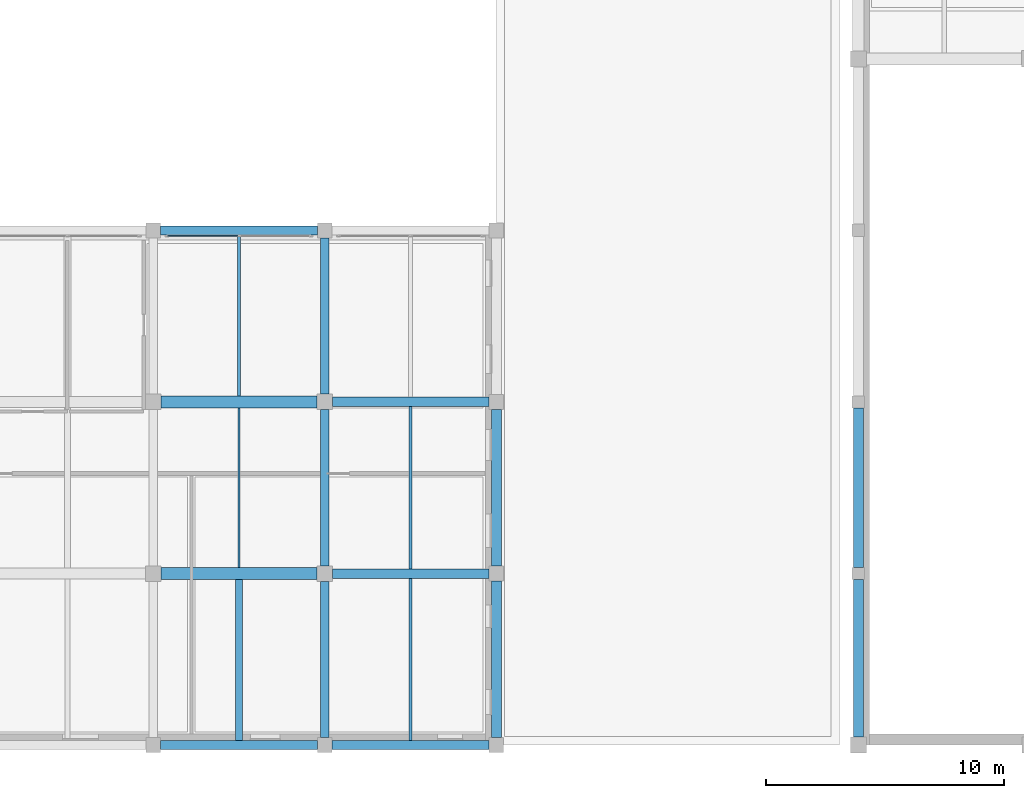
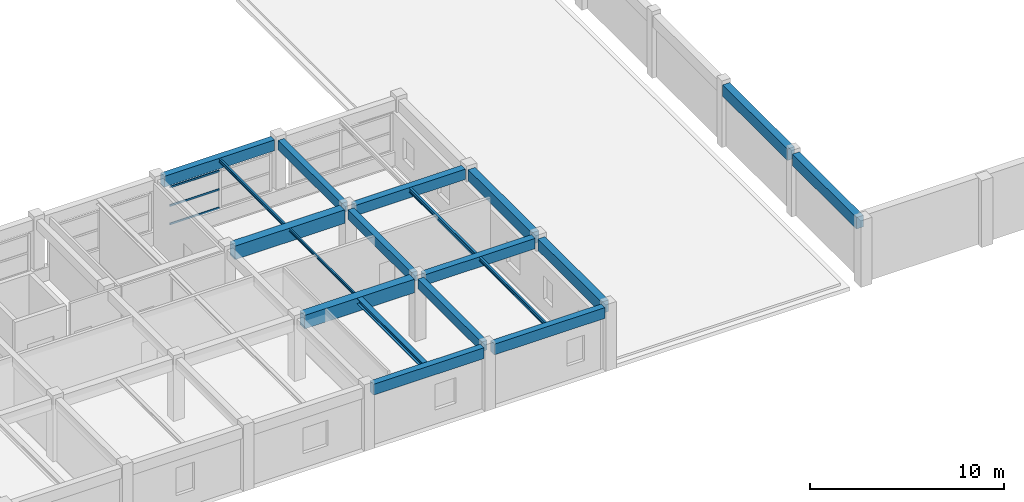
# One storey, part 16 of 67: 19 beams, 3 members, 1 element without a shape of its own.
"""IFC4 building model written with IfcOpenShell, lengths in metres."""

from ifc_helpers import new_model, si_unit, direction, frame, origin, origin_2d, place, context, subcontext, project, spatial, rectangle, hollow_rectangle, i_section, extrude, material, material_profile, profile_set, type_object, element, aggregate, save


model = new_model("IFC4")

# Units and contexts
model_context = context("Model", 3, precision=1e-05, world=origin(), true_north=direction((0.0, 1.0)))
body_context = subcontext(model_context, "Body", "Model", "MODEL_VIEW")
ifc_project = project(units=[si_unit("LENGTHUNIT", "METRE"), si_unit("AREAUNIT", "SQUARE_METRE"), si_unit("VOLUMEUNIT", "CUBIC_METRE"), si_unit("PLANEANGLEUNIT", "RADIAN"), si_unit("MASSUNIT", "GRAM", prefix="KILO")], contexts=[model_context])

# Site, building, storey
site_placement = place(None, origin())
site = spatial("IfcSite", under=ifc_project, at=site_placement, CompositionType="ELEMENT")
building_placement = place(site_placement, origin())
building = spatial("IfcBuilding", under=site, at=building_placement, Name="Bramveld Media Centre", CompositionType="ELEMENT")
storey_placement = place(building_placement, frame((0.0, 0.0, 5.39990234375)))
storey = spatial("IfcBuildingStorey", under=building, at=storey_placement, Name="L01", CompositionType="ELEMENT", Elevation=5.39990234375)

# Beams
ifc_material_1 = material(Name="Concrete C40/50", Category="concrete")
ifc_material_profile_1 = material_profile(ifc_material_1, rectangle(XDim=0.35009765625, YDim=0.60009765625, at=origin_2d()), Name="RC 350x600")
ifc_profile_set_1 = profile_set([ifc_material_profile_1], Name="Concrete C40/50")
beam_type_1 = type_object("IfcBeamType", Name="BM-INT-RC-350x600", PredefinedType="BEAM", material=ifc_profile_set_1)
beam_1_placement = place(storey_placement, frame((101.60009765625, 0.31005859375, 3.650146484375), z_axis=(0.0, 1.0, 0.0), x_axis=(-1.0, 0.0, 0.0)))
element("IfcBeam", 1, at=beam_1_placement, inside=storey, type_object=beam_type_1, Name="V5 L01 girder Y-757", PredefinedType="BEAM", context=body_context, shape_type="SweptSolid", body=[
    extrude(rectangle(XDim=0.35009765625, YDim=0.60009765625, at=origin_2d()), origin(), (0.0, 0.0, 1.0), 6.56494140625),
])
beam_2_placement = place(storey_placement, frame((101.60009765625, 7.52490234375, 3.650146484375), z_axis=(0.0, 1.0, 0.0), x_axis=(-1.0, 0.0, 0.0)))
element("IfcBeam", 2, at=beam_2_placement, inside=storey, type_object=beam_type_1, Name="V5 L01 girder Y-758", PredefinedType="BEAM", context=body_context, shape_type="SweptSolid", body=[
    extrude(rectangle(XDim=0.35009765625, YDim=0.60009765625, at=origin_2d()), origin(), (0.0, 0.0, 1.0), 6.550048828125),
])
beam_3_placement = place(storey_placement, frame((101.60009765625, 14.72509765625, 3.650146484375), z_axis=(0.0, 1.0, 0.0), x_axis=(-1.0, 0.0, 0.0)))
element("IfcBeam", 3, at=beam_3_placement, inside=storey, type_object=beam_type_1, Name="V5 L01 girder Y-759", PredefinedType="BEAM", context=body_context, shape_type="SweptSolid", body=[
    extrude(rectangle(XDim=0.35009765625, YDim=0.60009765625, at=origin_2d()), origin(), (0.0, 0.0, 1.0), 6.56494140625),
])
ifc_material_2 = material(Name="Concrete C40/50", Category="concrete")
ifc_material_profile_2 = material_profile(ifc_material_2, rectangle(XDim=0.39990234375, YDim=0.64990234375, at=origin_2d()), Name="RC 400x650")
ifc_profile_set_2 = profile_set([ifc_material_profile_2], Name="Concrete C40/50")
beam_type_2 = type_object("IfcBeamType", Name="BM-INT-RC-400x650", PredefinedType="BEAM", material=ifc_profile_set_2)
for number, where, z_axis, x_axis, name in (
    (4, (101.925048828125, 7.199951171875, 3.635009765625), (1.0, 0.0, 0.0), (0.0, 1.0, 0.0), "V5 L01 girder X-729"),
    (5, (101.925048828125, 14.39990234375, 3.635009765625), (1.0, 0.0, 0.0), (0.0, 1.0, 0.0), "V5 L01 girder X-733"),
):
    element("IfcBeam", number, at=place(storey_placement, frame(where, z_axis=z_axis, x_axis=x_axis)), inside=storey, type_object=beam_type_2, Name=name, PredefinedType="BEAM", context=body_context, shape_type="SweptSolid", body=[
        extrude(rectangle(XDim=0.39990234375, YDim=0.64990234375, at=origin_2d()), origin(), (0.0, 0.0, 1.0), 6.56494140625),
    ])
ifc_material_3 = material(Name="Concrete C40/50", Category="concrete")
ifc_material_profile_3 = material_profile(ifc_material_3, rectangle(XDim=0.5, YDim=0.85009765625, at=origin_2d()), Name="RC 500x850")
ifc_profile_set_3 = profile_set([ifc_material_profile_3], Name="Concrete C40/50")
beam_type_3 = type_object("IfcBeamType", Name="BM-INT-RC-500x850", PredefinedType="BEAM", material=ifc_profile_set_3)
for number, where, z_axis, x_axis, name in (
    (6, (94.72509765625, 7.199951171875, 3.525146484375), (1.0, 0.0, 0.0), (0.0, 1.0, 0.0), "V5 L01 girder X-728"),
    (7, (94.72509765625, 14.39990234375, 3.525146484375), (1.0, 0.0, 0.0), (0.0, 1.0, 0.0), "V5 L01 girder X-732"),
):
    element("IfcBeam", number, at=place(storey_placement, frame(where, z_axis=z_axis, x_axis=x_axis)), inside=storey, type_object=beam_type_3, Name=name, PredefinedType="BEAM", context=body_context, shape_type="SweptSolid", body=[
        extrude(rectangle(XDim=0.5, YDim=0.85009765625, at=origin_2d()), origin(), (0.0, 0.0, 1.0), 6.5498046875),
    ])

# Curtain wall, members
ifc_material_4 = material(Name="Thermally broken anodized bronze aluminium unitized curtain wall with solar-control triple glazing", Category="aluminium")
curtain_wall_type = type_object("IfcCurtainWallType", Name="CW-FACV5-6100x2380", PredefinedType="NOTDEFINED", material=ifc_material_4)
curtain_wall_placement = place(storey_placement, origin())
curtain_wall = element("IfcCurtainWall", 8, at=curtain_wall_placement, inside=storey, type_object=curtain_wall_type, Name="V5 L01 N curtain wall bay 6", PredefinedType="NOTDEFINED")
ifc_material_5 = material(Name="Thermally broken anodized bronze aluminium EN AW-6063 T6 curtain-wall framing", Category="aluminium")
ifc_material_profile_4 = material_profile(ifc_material_5, hollow_rectangle(XDim=0.06005859375, YDim=0.1201171875, WallThickness=0.00341796875, InnerFilletRadius=0.00341796875, OuterFilletRadius=0.007080078125, at=origin_2d()), Name="AL-TRAN 60x120")
ifc_profile_set_4 = profile_set([ifc_material_profile_4], Name="Thermally broken anodized bronze aluminium EN AW-6063 T6 curtain-wall framing")
member_type = type_object("IfcMemberType", Name="CW-TRAN-EXT", PredefinedType="USERDEFINED", material=ifc_profile_set_4)
member_1_placement = place(storey_placement, frame((95.010009765625, 21.3701171875, 0.880126953125), z_axis=(1.0, 0.0, 0.0), x_axis=(0.0, 1.0, 0.0)))
member_1 = element("IfcMember", 9, at=member_1_placement, type_object=member_type, Name="CW-FA-6123 transom 1.1", ObjectType="TRANSOM", PredefinedType="USERDEFINED", context=body_context, shape_type="SweptSolid", body=[
    extrude(hollow_rectangle(XDim=0.06005859375, YDim=0.1201171875, WallThickness=0.00341796875, InnerFilletRadius=0.00341796875, OuterFilletRadius=0.007080078125, at=origin_2d()), origin(), (0.0, 0.0, 1.0), 2.9599609375),
])
member_2_placement = place(storey_placement, frame((95.010009765625, 21.3701171875, 2.0400390625), z_axis=(1.0, 0.0, 0.0), x_axis=(0.0, 1.0, 0.0)))
member_2 = element("IfcMember", 10, at=member_2_placement, type_object=member_type, Name="CW-FA-6123 transom 1.2", ObjectType="TRANSOM", PredefinedType="USERDEFINED", context=body_context, shape_type="SweptSolid", body=[
    extrude(hollow_rectangle(XDim=0.06005859375, YDim=0.1201171875, WallThickness=0.00341796875, InnerFilletRadius=0.00341796875, OuterFilletRadius=0.007080078125, at=origin_2d()), origin(), (0.0, 0.0, 1.0), 2.9599609375),
])
member_3_placement = place(storey_placement, frame((95.010009765625, 21.3701171875, 3.2001953125), z_axis=(1.0, 0.0, 0.0), x_axis=(0.0, 1.0, 0.0)))
member_3 = element("IfcMember", 11, at=member_3_placement, type_object=member_type, Name="CW-FA-6123 transom 1.3", ObjectType="TRANSOM", PredefinedType="USERDEFINED", context=body_context, shape_type="SweptSolid", body=[
    extrude(hollow_rectangle(XDim=0.06005859375, YDim=0.1201171875, WallThickness=0.00341796875, InnerFilletRadius=0.00341796875, OuterFilletRadius=0.007080078125, at=origin_2d()), origin(), (0.0, 0.0, 1.0), 2.9599609375),
])
aggregate(curtain_wall, [member_1, member_2, member_3])

# Beams
ifc_material_6 = material(Name="Steel S355J2", Category="steel")
ifc_material_profile_5 = material_profile(ifc_material_6, i_section(OverallWidth=0.300048828125, OverallDepth=0.360107421875, WebThickness=0.012451171875, FlangeThickness=0.0224609375, FilletRadius=0.027099609375, at=origin_2d()), Name="HEB 360")
ifc_profile_set_5 = profile_set([ifc_material_profile_5], Name="Steel S355J2")
beam_type_4 = type_object("IfcBeamType", Name="SBM-INT-HEB-360", PredefinedType="BEAM", material=ifc_profile_set_5)
beam_4_placement = place(storey_placement, frame((98.0, 0.18994140625, 3.77001953125), z_axis=(0.0, 1.0, 0.0), x_axis=(-1.0, 0.0, 0.0)))
element("IfcBeam", 12, at=beam_4_placement, inside=storey, type_object=beam_type_4, Name="V5 L01 secondary floor joist 772", PredefinedType="BEAM", context=body_context, shape_type="SweptSolid", body=[
    extrude(i_section(OverallWidth=0.300048828125, OverallDepth=0.360107421875, WebThickness=0.012451171875, FlangeThickness=0.0224609375, FilletRadius=0.027099609375, at=origin_2d()), origin(), (0.0, 0.0, 1.0), 6.760009765625),
])
ifc_material_7 = material(Name="Steel S355J2", Category="steel")
ifc_material_profile_6 = material_profile(ifc_material_7, i_section(OverallWidth=0.091064453125, OverallDepth=0.179931640625, WebThickness=0.00537109375, FlangeThickness=0.008056640625, FilletRadius=0.009033203125, at=origin_2d()), Name="IPE 180")
ifc_profile_set_6 = profile_set([ifc_material_profile_6], Name="Steel S355J2")
beam_type_5 = type_object("IfcBeamType", Name="SBM-INT-IPE-180", PredefinedType="JOIST", material=ifc_profile_set_6)
beam_5_placement = place(storey_placement, frame((98.0, 7.449951171875, 3.860107421875), z_axis=(0.0, 1.0, 0.0), x_axis=(-1.0, 0.0, 0.0)))
element("IfcBeam", 13, at=beam_5_placement, inside=storey, type_object=beam_type_5, Name="V5 L01 secondary floor joist 773", PredefinedType="JOIST", context=body_context, shape_type="SweptSolid", body=[
    extrude(i_section(OverallWidth=0.091064453125, OverallDepth=0.179931640625, WebThickness=0.00537109375, FlangeThickness=0.008056640625, FilletRadius=0.009033203125, at=origin_2d()), origin(), (0.0, 0.0, 1.0), 6.699951171875),
])
ifc_material_8 = material(Name="Steel S355J2", Category="steel")
ifc_material_profile_7 = material_profile(ifc_material_8, i_section(OverallWidth=0.110107421875, OverallDepth=0.219970703125, WebThickness=0.005859375, FlangeThickness=0.00927734375, FilletRadius=0.011962890625, at=origin_2d()), Name="IPE 220")
ifc_profile_set_7 = profile_set([ifc_material_profile_7], Name="Steel S355J2")
beam_type_6 = type_object("IfcBeamType", Name="SBM-INT-IPE-220", PredefinedType="JOIST", material=ifc_profile_set_7)
beam_6_placement = place(storey_placement, frame((98.0, 14.64990234375, 3.840087890625), z_axis=(0.0, 1.0, 0.0), x_axis=(-1.0, 0.0, 0.0)))
element("IfcBeam", 14, at=beam_6_placement, inside=storey, type_object=beam_type_6, Name="V5 L01 secondary floor joist 774", PredefinedType="JOIST", context=body_context, shape_type="SweptSolid", body=[
    extrude(i_section(OverallWidth=0.110107421875, OverallDepth=0.219970703125, WebThickness=0.005859375, FlangeThickness=0.00927734375, FilletRadius=0.011962890625, at=origin_2d()), origin(), (0.0, 0.0, 1.0), 6.760009765625),
])
ifc_material_9 = material(Name="Steel S355J2", Category="steel")
ifc_material_profile_8 = material_profile(ifc_material_9, i_section(OverallWidth=0.1201171875, OverallDepth=0.239990234375, WebThickness=0.006103515625, FlangeThickness=0.009765625, FilletRadius=0.014892578125, at=origin_2d()), Name="IPE 240")
ifc_profile_set_8 = profile_set([ifc_material_profile_8], Name="Steel S355J2")
beam_type_7 = type_object("IfcBeamType", Name="SBM-INT-IPE-240", PredefinedType="JOIST", material=ifc_profile_set_8)
beam_7_placement = place(storey_placement, frame((105.199951171875, 0.18994140625, 3.840087890625), z_axis=(0.0, 1.0, 0.0), x_axis=(-1.0, 0.0, 0.0)))
element("IfcBeam", 15, at=beam_7_placement, inside=storey, type_object=beam_type_7, Name="V5 L01 secondary floor joist 775", PredefinedType="JOIST", context=body_context, shape_type="SweptSolid", body=[
    extrude(i_section(OverallWidth=0.1201171875, OverallDepth=0.239990234375, WebThickness=0.006103515625, FlangeThickness=0.009765625, FilletRadius=0.014892578125, at=origin_2d()), origin(), (0.0, 0.0, 1.0), 6.81005859375),
])
ifc_material_10 = material(Name="Steel S355J2", Category="steel")
ifc_material_profile_9 = material_profile(ifc_material_10, i_section(OverallWidth=0.135009765625, OverallDepth=0.27001953125, WebThickness=0.006591796875, FlangeThickness=0.01025390625, FilletRadius=0.014892578125, at=origin_2d()), Name="IPE 270")
ifc_profile_set_9 = profile_set([ifc_material_profile_9], Name="Steel S355J2")
beam_type_8 = type_object("IfcBeamType", Name="SBM-INT-IPE-270", PredefinedType="JOIST", material=ifc_profile_set_9)
beam_8_placement = place(storey_placement, frame((105.199951171875, 7.39990234375, 3.8251953125), z_axis=(0.0, 1.0, 0.0), x_axis=(-1.0, 0.0, 0.0)))
element("IfcBeam", 16, at=beam_8_placement, inside=storey, type_object=beam_type_8, Name="V5 L01 secondary floor joist 776", PredefinedType="JOIST", context=body_context, shape_type="SweptSolid", body=[
    extrude(i_section(OverallWidth=0.135009765625, OverallDepth=0.27001953125, WebThickness=0.006591796875, FlangeThickness=0.01025390625, FilletRadius=0.014892578125, at=origin_2d()), origin(), (0.0, 0.0, 1.0), 6.800048828125),
])
ifc_material_11 = material(Name="Concrete C40/50", Category="concrete")
ifc_material_profile_10 = material_profile(ifc_material_11, rectangle(XDim=0.3798828125, YDim=0.679931640625, at=origin_2d()), Name="RC 380x680")
ifc_profile_set_10 = profile_set([ifc_material_profile_10], Name="Concrete C40/50")
beam_type_9 = type_object("IfcBeamType", Name="SPANDREL-EXT-RC-380x680", PredefinedType="SPANDREL", material=ifc_profile_set_10)
for number, where, z_axis, x_axis, name in (
    (17, (94.7099609375, 0.0, 3.610107421875), (1.0, 0.0, 0.0), (0.0, 1.0, 0.0), "V5 L01 girder X-721"),
    (18, (101.909912109375, 0.0, 3.6201171875), (1.0, 0.0, 0.0), (0.0, 1.0, 0.0), "V5 L01 girder X-722"),
    (19, (94.7099609375, 21.60009765625, 3.610107421875), (1.0, 0.0, 0.0), (0.0, 1.0, 0.0), "V5 L01 girder X-739"),
):
    element("IfcBeam", number, at=place(storey_placement, frame(where, z_axis=z_axis, x_axis=x_axis)), inside=storey, type_object=beam_type_9, Name=name, PredefinedType="SPANDREL", context=body_context, shape_type="SweptSolid", body=[
        extrude(rectangle(XDim=0.3798828125, YDim=0.679931640625, at=origin_2d()), origin(), (0.0, 0.0, 1.0), 6.580078125),
    ])
ifc_material_12 = material(Name="Concrete C40/50", Category="concrete")
ifc_material_profile_11 = material_profile(ifc_material_12, rectangle(XDim=0.419921875, YDim=0.719970703125, at=origin_2d()), Name="RC 420x720")
ifc_profile_set_11 = profile_set([ifc_material_profile_11], Name="Concrete C40/50")
beam_type_10 = type_object("IfcBeamType", Name="SPANDREL-EXT-RC-420x720", PredefinedType="SPANDREL", material=ifc_profile_set_11)
beam_9_placement = place(storey_placement, frame((124.0, 0.340087890625, 3.590087890625), z_axis=(0.0, 1.0, 0.0), x_axis=(-1.0, 0.0, 0.0)))
element("IfcBeam", 20, at=beam_9_placement, inside=storey, type_object=beam_type_10, Name="V1 L01 girder Y-60", PredefinedType="SPANDREL", context=body_context, shape_type="SweptSolid", body=[
    extrude(rectangle(XDim=0.419921875, YDim=0.719970703125, at=origin_2d()), origin(), (0.0, 0.0, 1.0), 6.599853515625),
])
beam_10_placement = place(storey_placement, frame((124.0, 7.4599609375, 3.590087890625), z_axis=(0.0, 1.0, 0.0), x_axis=(-1.0, 0.0, 0.0)))
element("IfcBeam", 21, at=beam_10_placement, inside=storey, type_object=beam_type_10, Name="V1 L01 girder Y-61", PredefinedType="SPANDREL", context=body_context, shape_type="SweptSolid", body=[
    extrude(rectangle(XDim=0.419921875, YDim=0.719970703125, at=origin_2d()), origin(), (0.0, 0.0, 1.0), 6.679931640625),
])
beam_11_placement = place(storey_placement, frame((108.800048828125, 0.31005859375, 3.60009765625), z_axis=(0.0, 1.0, 0.0), x_axis=(-1.0, 0.0, 0.0)))
element("IfcBeam", 22, at=beam_11_placement, inside=storey, type_object=beam_type_10, Name="V5 L01 girder Y-760", PredefinedType="SPANDREL", context=body_context, shape_type="SweptSolid", body=[
    extrude(rectangle(XDim=0.419921875, YDim=0.719970703125, at=origin_2d()), origin(), (0.0, 0.0, 1.0), 6.579833984375),
])
beam_12_placement = place(storey_placement, frame((108.800048828125, 7.510009765625, 3.60009765625), z_axis=(0.0, 1.0, 0.0), x_axis=(-1.0, 0.0, 0.0)))
element("IfcBeam", 23, at=beam_12_placement, inside=storey, type_object=beam_type_10, Name="V5 L01 girder Y-761", PredefinedType="SPANDREL", context=body_context, shape_type="SweptSolid", body=[
    extrude(rectangle(XDim=0.419921875, YDim=0.719970703125, at=origin_2d()), origin(), (0.0, 0.0, 1.0), 6.580078125),
])

save(model, "model.ifc")
